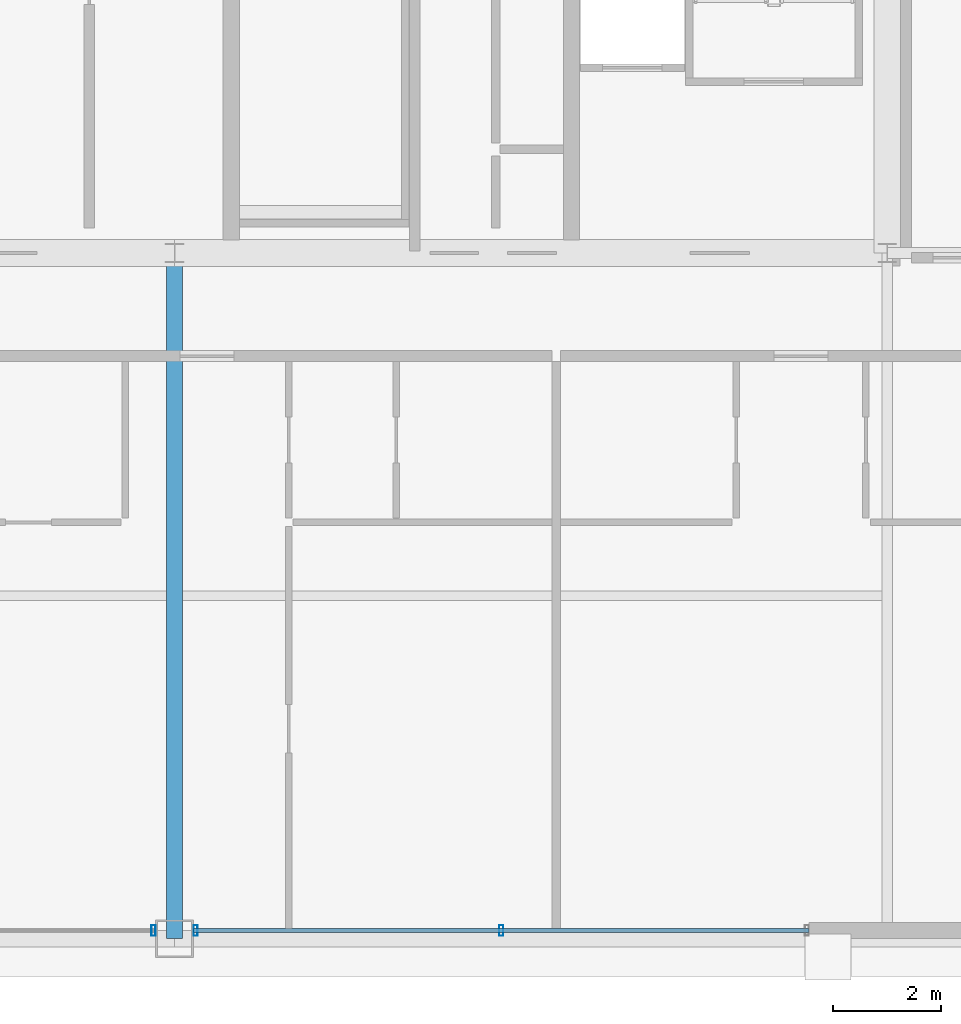
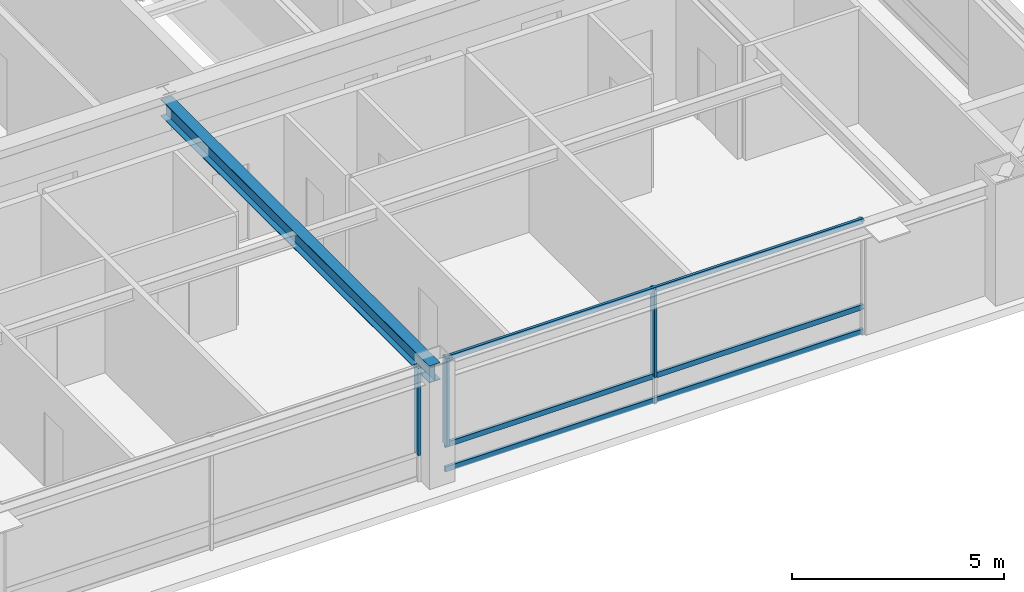
# One storey, part 8 of 35: 6 members, 1 beam, 2 elements without a shape of their own.
"""IFC4 building model written with IfcOpenShell, lengths in metres."""

from ifc_helpers import new_model, si_unit, direction, frame, origin, origin_2d, place, context, subcontext, project, spatial, hollow_rectangle, i_section, extrude, source, transform, mapped, material, layer, layer_set, material_profile, profile_set, type_object, element, aggregate, save


model = new_model("IFC4")

# Units and contexts
model_context = context("Model", 3, precision=1e-05, world=origin(), true_north=direction((0.0, 1.0)))
body_context = subcontext(model_context, "Body", "Model", "MODEL_VIEW")
ifc_project = project(units=[si_unit("LENGTHUNIT", "METRE"), si_unit("AREAUNIT", "SQUARE_METRE"), si_unit("VOLUMEUNIT", "CUBIC_METRE"), si_unit("PLANEANGLEUNIT", "RADIAN"), si_unit("MASSUNIT", "GRAM", prefix="KILO"), si_unit("THERMODYNAMICTEMPERATUREUNIT", "KELVIN"), si_unit("POWERUNIT", "WATT")], contexts=[model_context])

# Site, building, storey
site_placement = place(None, origin())
site = spatial("IfcSite", under=ifc_project, at=site_placement, CompositionType="ELEMENT")
building_placement = place(site_placement, origin())
building = spatial("IfcBuilding", under=site, at=building_placement, Name="Yuzanri Waterfront Tower", CompositionType="ELEMENT")
storey_placement = place(building_placement, frame((0.0, 0.0, 332.199951171875)))
storey = spatial("IfcBuildingStorey", under=building, at=storey_placement, Name="L89", CompositionType="ELEMENT", Elevation=332.199951171875)

# Beam
ifc_material_1 = material(Name="Steel Q355B", Category="steel")
ifc_material_profile_1 = material_profile(ifc_material_1, i_section(OverallWidth=0.300048828125, OverallDepth=0.488037109375, WebThickness=0.010986328125, FlangeThickness=0.01806640625, at=origin_2d()), Name="HM 488x300x11x18")
ifc_profile_set_1 = profile_set([ifc_material_profile_1], Name="Steel Q355B")
beam_type = type_object("IfcBeamType", Name="Primary Floor Girder Q355B HM 488x300", PredefinedType="BEAM", material=ifc_profile_set_1)
shared_shape_1 = source(origin(), body_context, "Body", "SweptSolid", [
    extrude(i_section(OverallWidth=0.300048828125, OverallDepth=0.488037109375, WebThickness=0.010986328125, FlangeThickness=0.01806640625, at=origin_2d()), origin(), (0.0, 0.0, 1.0), 12.699951171875),
])
beam_placement = place(storey_placement, frame((37.0, 19.39990234375, 3.0361328125), z_axis=(0.0, -1.0, 0.0), x_axis=(1.0, 0.0, 0.0)))
element("IfcBeam", 1, at=beam_placement, inside=storey, type_object=beam_type, Name="L89 South Grid Girder", PredefinedType="BEAM", context=body_context, shape_type="MappedRepresentation", body=[
    mapped(shared_shape_1, transform((0.0, 0.0, 0.0), scale=1.0)),
])

# Curtain wall, member
ifc_material_2 = material(Name="Anodized Architectural Bronze", Category="metal")
ifc_layer = layer(ifc_material_2, 0.159912109375)
ifc_layer_set = layer_set([ifc_layer], Name="Anodized Architectural Bronze")
curtain_wall_type = type_object("IfcCurtainWallType", Name="Anodized Bronze High-Rise Penthouse High-Wind Unitized Curtain Wall 6900", PredefinedType="NOTDEFINED", material=ifc_layer_set)
curtain_wall_1_placement = place(storey_placement, origin())
curtain_wall_1 = element("IfcCurtainWall", 2, at=curtain_wall_1_placement, inside=storey, type_object=curtain_wall_type, Name="L89 Curtain Wall CW-L89-SL", PredefinedType="NOTDEFINED")
ifc_material_3 = material(Name="Anodized Architectural Bronze", Category="metal")
ifc_material_profile_2 = material_profile(ifc_material_3, hollow_rectangle(XDim=0.074951171875, YDim=0.199951171875, WallThickness=0.00390625, at=origin_2d()), Name="CWM 75x200")
ifc_profile_set_2 = profile_set([ifc_material_profile_2], Name="Anodized Architectural Bronze")
member_type_1 = type_object("IfcMemberType", Name="Anodized Bronze Primary Curtain-Wall Mullion 75x200", PredefinedType="MULLION", material=ifc_profile_set_2)
shared_shape_2 = source(origin(), body_context, "Body", "SweptSolid", [
    extrude(hollow_rectangle(XDim=0.074951171875, YDim=0.199951171875, WallThickness=0.00390625, at=origin_2d()), origin(), (0.0, 0.0, 1.0), 2.52392578125),
])
member_1_placement = place(storey_placement, frame((36.610107421875, 6.85009765625, 0.756103515625), z_axis=(0.0, 0.0, 1.0), x_axis=(1.0, 0.0, 0.0)))
member_1 = element("IfcMember", 3, at=member_1_placement, type_object=member_type_1, Name="CW-L89-SL Upper Mullion 02", PredefinedType="MULLION", context=body_context, shape_type="MappedRepresentation", body=[
    mapped(shared_shape_2, transform((0.0, 0.0, 0.0), scale=1.0)),
])
aggregate(curtain_wall_1, [member_1])

# Curtain wall, members
curtain_wall_2_placement = place(storey_placement, origin())
curtain_wall_2 = element("IfcCurtainWall", 4, at=curtain_wall_2_placement, inside=storey, type_object=curtain_wall_type, Name="L89 Curtain Wall CW-L89-SR", PredefinedType="NOTDEFINED")
member_2_placement = place(storey_placement, frame((37.389892578125, 6.85009765625, 0.756103515625), z_axis=(0.0, 0.0, 1.0), x_axis=(1.0, 0.0, 0.0)))
member_2 = element("IfcMember", 5, at=member_2_placement, type_object=member_type_1, Name="CW-L89-SR Upper Mullion 00", PredefinedType="MULLION", context=body_context, shape_type="MappedRepresentation", body=[
    mapped(shared_shape_2, transform((0.0, 0.0, 0.0), scale=1.0)),
])
member_3_placement = place(storey_placement, frame((43.050048828125, 6.85009765625, 0.756103515625), z_axis=(0.0, 0.0, 1.0), x_axis=(1.0, 0.0, 0.0)))
member_3 = element("IfcMember", 6, at=member_3_placement, type_object=member_type_1, Name="CW-L89-SR Upper Mullion 01", PredefinedType="MULLION", context=body_context, shape_type="MappedRepresentation", body=[
    mapped(shared_shape_2, transform((0.0, 0.0, 0.0), scale=1.0)),
])
ifc_material_4 = material(Name="Anodized Architectural Bronze", Category="metal")
ifc_material_profile_3 = material_profile(ifc_material_4, hollow_rectangle(XDim=0.074951171875, YDim=0.14990234375, WallThickness=0.00390625, at=origin_2d()), Name="CWT 75x150")
ifc_profile_set_3 = profile_set([ifc_material_profile_3], Name="Anodized Architectural Bronze")
member_type_2 = type_object("IfcMemberType", Name="Anodized Bronze Primary Curtain-Wall Transom 75x150", PredefinedType="USERDEFINED", material=ifc_profile_set_3)
shared_shape_3 = source(origin(), body_context, "Body", "SweptSolid", [
    extrude(hollow_rectangle(XDim=0.074951171875, YDim=0.14990234375, WallThickness=0.00390625, at=origin_2d()), origin(), (0.0, 0.0, 1.0), 11.39990234375),
])
member_4_placement = place(storey_placement, frame((37.35009765625, 6.85009765625, 0.050048828125), z_axis=(1.0, 0.0, 0.0), x_axis=(0.0, 1.0, 0.0)))
member_4 = element("IfcMember", 7, at=member_4_placement, type_object=member_type_2, Name="CW-L89-SR Transom 1", ObjectType="TRANSOM", PredefinedType="USERDEFINED", context=body_context, shape_type="MappedRepresentation", body=[
    mapped(shared_shape_3, transform((0.0, 0.0, 0.0), scale=1.0)),
])
member_5_placement = place(storey_placement, frame((37.35009765625, 6.85009765625, 0.754150390625), z_axis=(1.0, 0.0, 0.0), x_axis=(0.0, 1.0, 0.0)))
member_5 = element("IfcMember", 8, at=member_5_placement, type_object=member_type_2, Name="CW-L89-SR Transom 2", ObjectType="TRANSOM", PredefinedType="USERDEFINED", context=body_context, shape_type="MappedRepresentation", body=[
    mapped(shared_shape_3, transform((0.0, 0.0, 0.0), scale=1.0)),
])
member_6_placement = place(storey_placement, frame((37.35009765625, 6.85009765625, 3.22998046875), z_axis=(1.0, 0.0, 0.0), x_axis=(0.0, 1.0, 0.0)))
member_6 = element("IfcMember", 9, at=member_6_placement, type_object=member_type_2, Name="CW-L89-SR Transom 3", ObjectType="TRANSOM", PredefinedType="USERDEFINED", context=body_context, shape_type="MappedRepresentation", body=[
    mapped(shared_shape_3, transform((0.0, 0.0, 0.0), scale=1.0)),
])
aggregate(curtain_wall_2, [member_2, member_3, member_4, member_5, member_6])

save(model, "model.ifc")
